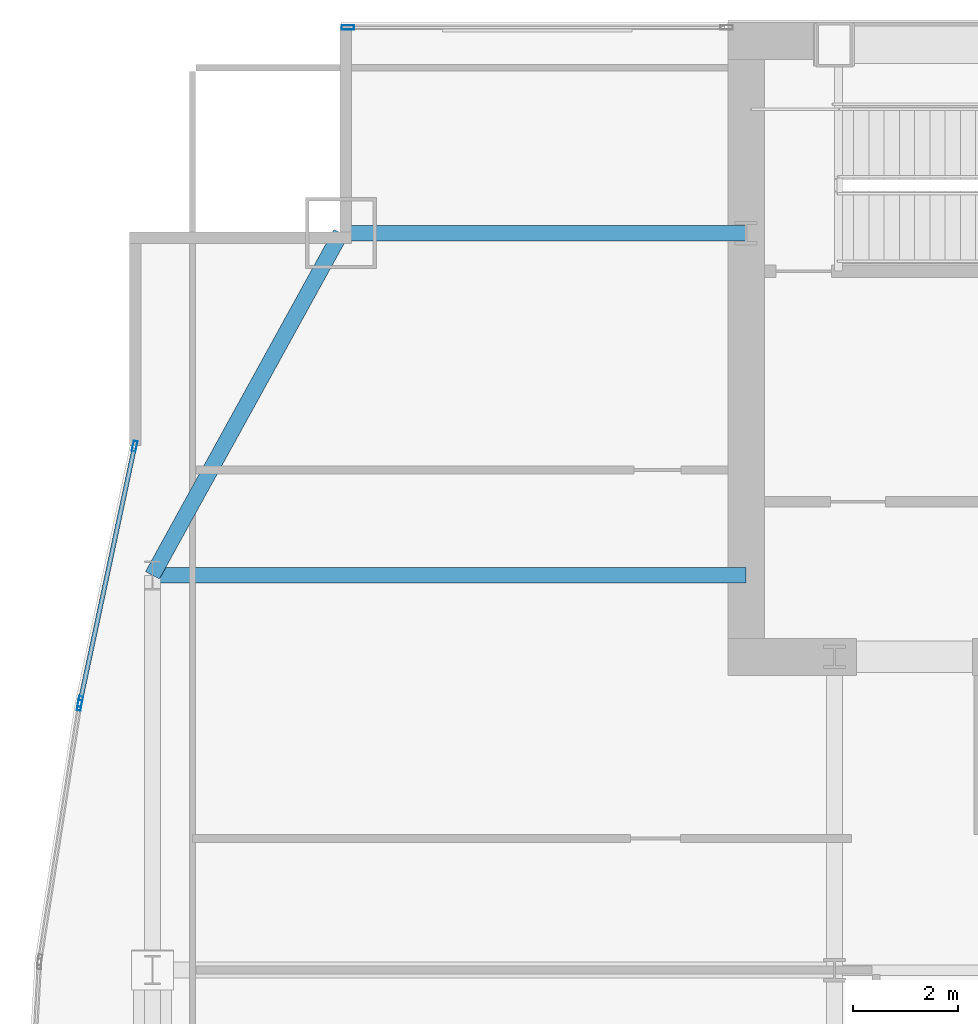
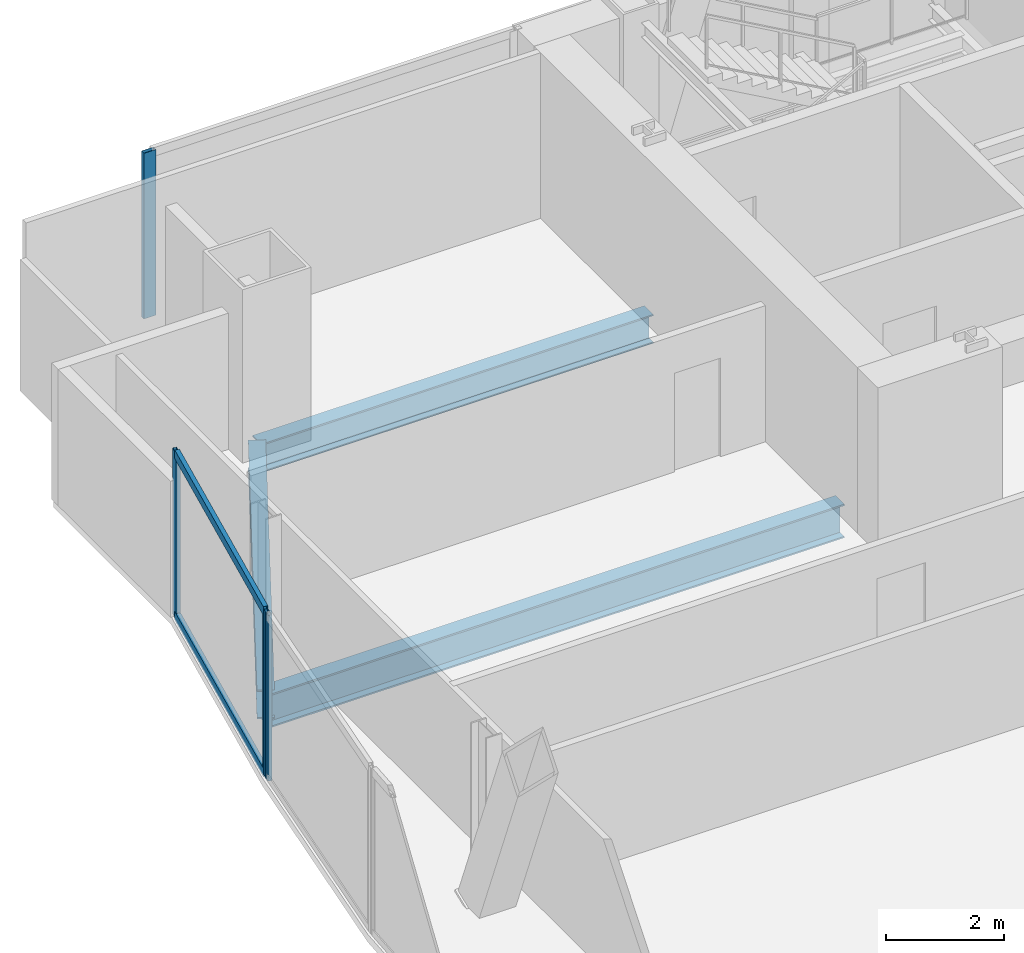
# One storey, part 17 of 30: 6 members, 3 beams, 3 elements without a shape of their own.
"""IFC4 building model written with IfcOpenShell, lengths in metres."""

import ifcopenshell
import ifcopenshell.guid

model = None  # the IFC model being written
_history = None  # IfcOwnerHistory: only IFC2X3 demands one
_inside = {}  # id of a spatial element -> (the spatial element, [elements in it])
_under = {}  # id of a project, library or spatial element -> (it, [spatial elements below it])
_declared = {}  # id of a project -> (the project, [libraries it declares])
_typed = {}  # id of a type object -> (the type object, [elements of that type])
_made_of = {}  # id of a material, layer set ... -> (it, [elements and type objects made of it])


def new_model(schema):
    """Start an empty IFC model of exactly this schema.

    Asked for "IFC4X3", IfcOpenShell would pick the latest addendum, in which some entities
    have other attributes; the version numbers below select the first issue.
    IFC2X3 requires an IfcOwnerHistory on every rooted entity: one is made here for all.
    """
    global model, _history
    if schema == "IFC4X3":
        model = ifcopenshell.file(schema_version=(4, 3, 0, 0))
    else:
        model = ifcopenshell.file(schema=schema)
    _inside.clear()
    _under.clear()
    _declared.clear()
    _typed.clear()
    _made_of.clear()
    _history = None
    if model.schema == "IFC2X3":
        org = make("IfcOrganization", Name="unknown")
        user = make(
            "IfcPersonAndOrganization",
            ThePerson=make("IfcPerson", FamilyName="unknown"),
            TheOrganization=org,
        )
        app = make(
            "IfcApplication",
            ApplicationDeveloper=org,
            Version="unknown",
            ApplicationFullName="unknown",
            ApplicationIdentifier="unknown",
        )
        _history = make(
            "IfcOwnerHistory",
            OwningUser=user,
            OwningApplication=app,
            ChangeAction="ADDED",
            CreationDate=0,
        )
    return model


def make(cls, **values):
    """One entity of the class cls with the attributes given. An attribute that is None is left unset."""
    return model.create_entity(
        cls, **{name: value for name, value in values.items() if value is not None}
    )


def rooted(cls, **values):
    """An entity with a GlobalId (a new one), such as an element, a storey or a relation."""
    return make(cls, GlobalId=ifcopenshell.guid.new(), OwnerHistory=_history, **values)


def si_unit(unit_type, name, prefix=None):
    """IfcSIUnit, for example si_unit("LENGTHUNIT", "METRE", prefix="MILLI")."""
    return make("IfcSIUnit", UnitType=unit_type, Prefix=prefix, Name=name)


def assignment(units):
    """IfcUnitAssignment: the units of a project."""
    return None if units is None else make("IfcUnitAssignment", Units=units)


def point(xyz):
    """IfcCartesianPoint."""
    return None if xyz is None else make("IfcCartesianPoint", Coordinates=xyz)


def direction(xyz):
    """IfcDirection."""
    return None if xyz is None else make("IfcDirection", DirectionRatios=xyz)


def frame(location, z_axis=None, x_axis=None):
    """IfcAxis2Placement3D, a coordinate frame: its origin and axes. An axis left out is left unset."""
    return make(
        "IfcAxis2Placement3D",
        Location=point(location),
        Axis=direction(z_axis),
        RefDirection=direction(x_axis),
    )


def frame_2d(location, x_axis=None):
    """IfcAxis2Placement2D, a coordinate frame in the plane: its origin and x axis."""
    return make(
        "IfcAxis2Placement2D", Location=point(location), RefDirection=direction(x_axis)
    )


def origin():
    """The frame at (0, 0, 0) with its axes left unset."""
    return frame((0.0, 0.0, 0.0))


def origin_2d():
    """The frame at (0, 0) in the plane with its x axis left unset."""
    return frame_2d((0.0, 0.0))


def place(relative_to, where):
    """IfcLocalPlacement: puts the frame where relative to a parent placement (None: the world)."""
    return make(
        "IfcLocalPlacement", PlacementRelTo=relative_to, RelativePlacement=where
    )


def context(
    kind, dimensions, precision=None, world=None, true_north=None, identifier=None
):
    """IfcGeometricRepresentationContext, for example the 3D "Model" context."""
    return make(
        "IfcGeometricRepresentationContext",
        ContextIdentifier=identifier,
        ContextType=kind,
        CoordinateSpaceDimension=dimensions,
        Precision=precision,
        WorldCoordinateSystem=world,
        TrueNorth=true_north,
    )


def subcontext(parent, identifier, kind, view, scale=None):
    """IfcGeometricRepresentationSubContext, for example "Body" below "Model"."""
    return make(
        "IfcGeometricRepresentationSubContext",
        ContextIdentifier=identifier,
        ContextType=kind,
        ParentContext=parent,
        TargetScale=scale,
        TargetView=view,
    )


def project(units=None, contexts=None):
    """IfcProject with its units and contexts."""
    return rooted(
        "IfcProject",
        Name="project",
        RepresentationContexts=contexts,
        UnitsInContext=assignment(units),
    )


def spatial(cls, under=None, at=None, **own):
    """A site, building, storey or space (cls), placed at a placement, below another one or the project."""
    s = rooted(cls, ObjectPlacement=at, **own)
    if under is not None:
        _under.setdefault(under.id(), (under, []))[1].append(s)
    return s


def profile(cls, at=None, kind="AREA", **sizes):
    """A parametric profile (cls). Its sizes go by their IFC names, for example OverallWidth=200.0."""
    return make(cls, ProfileType=kind, Position=at, **sizes)


def hollow_rectangle(**sizes):
    """IfcRectangleHollowProfileDef."""
    return profile("IfcRectangleHollowProfileDef", **sizes)


def i_section(**sizes):
    """IfcIShapeProfileDef."""
    return profile("IfcIShapeProfileDef", **sizes)


def extrude(swept, where, along, depth):
    """IfcExtrudedAreaSolid: the profile swept, set in the frame where, extruded along a direction by depth."""
    return make(
        "IfcExtrudedAreaSolid",
        SweptArea=swept,
        Position=where,
        ExtrudedDirection=direction(along),
        Depth=depth,
    )


def shape(context_of_items, identifier, shape_type, items):
    """IfcShapeRepresentation: the items that make up one representation, for example the "Body"."""
    return make(
        "IfcShapeRepresentation",
        ContextOfItems=context_of_items,
        RepresentationIdentifier=identifier,
        RepresentationType=shape_type,
        Items=items,
    )


def material(Name=None, Category=None):
    """IfcMaterial."""
    return make("IfcMaterial", Name=Name, Category=Category)


def material_profile(
    of_material, cross_section, Name=None, Category=None, Priority=None
):
    """IfcMaterialProfile: a cross section and its material."""
    return make(
        "IfcMaterialProfile",
        Name=Name,
        Material=of_material,
        Profile=cross_section,
        Priority=Priority,
        Category=Category,
    )


def profile_set(profiles, Name=None, composite=None):
    """IfcMaterialProfileSet."""
    return make(
        "IfcMaterialProfileSet",
        Name=Name,
        MaterialProfiles=profiles,
        CompositeProfile=composite,
    )


def made_of(thing, what):
    """Note that an element or type object is made of a material, layer set ...; save() writes the relation."""
    if what is not None:
        _made_of.setdefault(what.id(), (what, []))[1].append(thing)
    return thing


def type_object(cls, material=None, **own):
    """A type object (cls), such as IfcWallType, which elements share."""
    return made_of(rooted(cls, **own), material)


def element(
    cls,
    number,
    at=None,
    inside=None,
    cuts=None,
    type_object=None,
    material=None,
    context=None,
    identifier="Body",
    shape_type=None,
    held_by="IfcProductDefinitionShape",
    body=None,
    shapes=None,
    **own,
):
    """One element of the class cls, such as IfcWall. Its Tag is "e" and its number.

    at: its placement. inside: the storey or other place that contains it. cuts: it is an
    opening in that element (IfcRelVoidsElement). A single representation is given by context,
    identifier, shape_type and body (its items); several are given by shapes. held_by: the class
    of the entity that holds the representations. save() writes the other relations.
    """
    e = rooted(cls, Tag="e%d" % number, ObjectPlacement=at, **own)
    if body is not None:
        shapes = [shape(context, identifier, shape_type, body)]
    if shapes is not None:
        e.Representation = make(held_by, Representations=shapes)
    if inside is not None:
        _inside.setdefault(inside.id(), (inside, []))[1].append(e)
    if cuts is not None:
        rooted(
            "IfcRelVoidsElement", RelatingBuildingElement=cuts, RelatedOpeningElement=e
        )
    if type_object is not None:
        _typed.setdefault(type_object.id(), (type_object, []))[1].append(e)
    return made_of(e, material)


def aggregate(whole, parts):
    """IfcRelAggregates: a whole, such as a stair, and the parts it consists of."""
    return rooted("IfcRelAggregates", RelatingObject=whole, RelatedObjects=parts)


def save(model, path):
    """Write the relations noted so far, then the file.

    IfcRelAggregates (storeys below a building ...), IfcRelContainedInSpatialStructure (elements
    in a storey), IfcRelDefinesByType, IfcRelAssociatesMaterial and IfcRelDeclares: one each for
    every whole, place, type object, material and project.
    """
    for whole, parts in _under.values():
        aggregate(whole, parts)
    for where, things in _inside.values():
        rooted(
            "IfcRelContainedInSpatialStructure",
            RelatedElements=things,
            RelatingStructure=where,
        )
    for kind, things in _typed.values():
        rooted("IfcRelDefinesByType", RelatedObjects=things, RelatingType=kind)
    for what, things in _made_of.values():
        rooted("IfcRelAssociatesMaterial", RelatedObjects=things, RelatingMaterial=what)
    for by, libraries in _declared.values():
        rooted("IfcRelDeclares", RelatingContext=by, RelatedDefinitions=libraries)
    model.write(path)


model = new_model("IFC4")

# Units and contexts
model_context = context("Model", 3, precision=1e-05, world=origin(), true_north=direction((0.0, 1.0)))
body_context = subcontext(model_context, "Body", "Model", "MODEL_VIEW")
ifc_project = project(units=[si_unit("LENGTHUNIT", "METRE"), si_unit("AREAUNIT", "SQUARE_METRE"), si_unit("VOLUMEUNIT", "CUBIC_METRE"), si_unit("PLANEANGLEUNIT", "RADIAN"), si_unit("MASSUNIT", "GRAM", prefix="KILO")], contexts=[model_context])

# Site, building, storey
site_placement = place(None, origin())
site = spatial("IfcSite", under=ifc_project, at=site_placement, CompositionType="ELEMENT")
building_placement = place(site_placement, origin())
building = spatial("IfcBuilding", under=site, at=building_placement, Name="Khoronbel Lancet Exchange", CompositionType="ELEMENT")
storey_placement = place(building_placement, frame((0.0, 0.0, 157.800048828125)))
storey = spatial("IfcBuildingStorey", under=building, at=storey_placement, Name="L39", CompositionType="ELEMENT", Elevation=157.800048828125)

# Beams
ifc_material_1 = material(Name="Steel S355", Category="steel")
ifc_material_profile_1 = material_profile(ifc_material_1, i_section(OverallWidth=0.300048828125, OverallDepth=0.699951171875, WebThickness=0.01708984375, FlangeThickness=0.031982421875, at=origin_2d()), Name="HEB 700")
ifc_profile_set_1 = profile_set([ifc_material_profile_1], Name="Steel S355")
beam_type_1 = type_object("IfcBeamType", Name="BM-BG3", PredefinedType="BEAM", material=ifc_profile_set_1)
beam_1_placement = place(storey_placement, frame((5.27001953125, 43.199951171875, -0.510009765625), z_axis=(1.0, 0.0, 0.0), x_axis=(0.0, 1.0, 0.0)))
element("IfcBeam", 1, at=beam_1_placement, inside=storey, type_object=beam_type_1, Name="Level L39 west lens tie girder LG3W", PredefinedType="BEAM", context=body_context, shape_type="SweptSolid", body=[
    extrude(i_section(OverallWidth=0.300048828125, OverallDepth=0.699951171875, WebThickness=0.01708984375, FlangeThickness=0.031982421875, at=origin_2d()), origin(), (0.0, 0.0, 1.0), 11.280029296875),
])
ifc_material_profile_2 = material_profile(ifc_material_1, i_section(OverallWidth=0.300048828125, OverallDepth=0.60009765625, WebThickness=0.015380859375, FlangeThickness=0.030029296875, at=origin_2d()), Name="HEB 600")
ifc_profile_set_2 = profile_set([ifc_material_profile_2], Name="Steel S355")
beam_type_2 = type_object("IfcBeamType", Name="BM-BSP2", PredefinedType="SPANDREL", material=ifc_profile_set_2)
beam_2_placement = place(storey_placement, frame((8.85009765625, 49.699951171875, -0.4599609375), z_axis=(-0.482444051088, -0.875926787791, 0.0), x_axis=(0.875926787791, -0.482444051088, 0.0)))
element("IfcBeam", 2, at=beam_2_placement, inside=storey, type_object=beam_type_2, Name="Level L39 perimeter spandrel beam SP16", PredefinedType="SPANDREL", context=body_context, shape_type="SweptSolid", body=[
    extrude(i_section(OverallWidth=0.300048828125, OverallDepth=0.60009765625, WebThickness=0.015380859375, FlangeThickness=0.030029296875, at=origin_2d()), origin(), (0.0, 0.0, 1.0), 7.420654296875),
])
beam_3_placement = place(storey_placement, frame((8.85009765625, 49.699951171875, -0.4599609375), z_axis=(1.0, 0.0, 0.0), x_axis=(0.0, 1.0, 0.0)))
element("IfcBeam", 3, at=beam_3_placement, inside=storey, type_object=beam_type_2, Name="Level L39 north flank tie spandrel SP22", PredefinedType="SPANDREL", context=body_context, shape_type="SweptSolid", body=[
    extrude(i_section(OverallWidth=0.300048828125, OverallDepth=0.60009765625, WebThickness=0.015380859375, FlangeThickness=0.030029296875, at=origin_2d()), origin(), (0.0, 0.0, 1.0), 7.699951171875),
])

# Curtain wall, member
ifc_material_2 = material(Name="Low-E Solar Control Insulating Glass", Category="glass")
curtain_wall_type_1 = type_object("IfcCurtainWallType", Name="CW-3", PredefinedType="NOTDEFINED", material=ifc_material_2)
curtain_wall_1_placement = place(storey_placement, origin())
curtain_wall_1 = element("IfcCurtainWall", 4, at=curtain_wall_1_placement, inside=storey, type_object=curtain_wall_type_1, Name="Unitised curtain wall CW-L39-NWFLK", PredefinedType="NOTDEFINED")
ifc_material_3 = material(Name="Bronze-Anodised Aluminium 6063-T6", Category="aluminium")
ifc_material_profile_3 = material_profile(ifc_material_3, hollow_rectangle(XDim=0.0849609375, YDim=0.239990234375, WallThickness=0.006103515625, at=origin_2d()), Name="ALU MULLION 85x240")
ifc_profile_set_3 = profile_set([ifc_material_profile_3], Name="Bronze-Anodised Aluminium 6063-T6")
member_type_1 = type_object("IfcMemberType", Name="MEM-CWM1", PredefinedType="MULLION", material=ifc_profile_set_3)
member_1_placement = place(storey_placement, frame((8.982421875, 53.610107421875, 0.0), z_axis=(0.0, 0.0, 1.0), x_axis=(0.0, -1.0, 0.0)))
member_1 = element("IfcMember", 5, at=member_1_placement, type_object=member_type_1, Name="CW3 mullion 2", PredefinedType="MULLION", context=body_context, shape_type="SweptSolid", body=[
    extrude(hollow_rectangle(XDim=0.0849609375, YDim=0.239990234375, WallThickness=0.006103515625, at=origin_2d()), origin(), (0.0, 0.0, 1.0), 3.43994140625),
])
aggregate(curtain_wall_1, [member_1])

curtain_wall_type_2 = type_object("IfcCurtainWallType", Name="CW-4", PredefinedType="NOTDEFINED", material=ifc_material_2)
curtain_wall_2_placement = place(storey_placement, origin())
curtain_wall_2 = element("IfcCurtainWall", 6, at=curtain_wall_2_placement, inside=storey, type_object=curtain_wall_type_2, Name="Unitised curtain wall CW-L39-E08", PredefinedType="NOTDEFINED")
ifc_material_profile_4 = material_profile(ifc_material_3, hollow_rectangle(XDim=0.074951171875, YDim=0.199951171875, WallThickness=0.0048828125, at=origin_2d()), Name="ALU MULLION 75x200")
ifc_profile_set_4 = profile_set([ifc_material_profile_4], Name="Bronze-Anodised Aluminium 6063-T6")
member_type_2 = type_object("IfcMemberType", Name="MEM-CWM2", PredefinedType="MULLION", material=ifc_profile_set_4)
member_2_placement = place(storey_placement, frame((3.884521484375, 40.72998046875, 0.0), z_axis=(0.0, 0.0, 1.0), x_axis=(-0.98804136719, 0.154189029189, 0.0)))
member_2 = element("IfcMember", 7, at=member_2_placement, type_object=member_type_2, Name="CW4 mullion 2", PredefinedType="MULLION", context=body_context, shape_type="SweptSolid", body=[
    extrude(hollow_rectangle(XDim=0.074951171875, YDim=0.199951171875, WallThickness=0.0048828125, at=origin_2d()), origin(), (0.0, 0.0, 1.0), 3.43994140625),
])
aggregate(curtain_wall_2, [member_2])

# Curtain wall, members
curtain_wall_3_placement = place(storey_placement, origin())
curtain_wall_3 = element("IfcCurtainWall", 8, at=curtain_wall_3_placement, inside=storey, type_object=curtain_wall_type_2, Name="Unitised curtain wall CW-L39-E09", PredefinedType="NOTDEFINED")
member_3_placement = place(storey_placement, frame((3.898193359375, 40.8037109375, 0.0), z_axis=(0.0, 0.0, 1.0), x_axis=(-0.978023090529, 0.208496605228, 0.0)))
member_3 = element("IfcMember", 9, at=member_3_placement, type_object=member_type_2, Name="CW4 mullion 1", PredefinedType="MULLION", context=body_context, shape_type="SweptSolid", body=[
    extrude(hollow_rectangle(XDim=0.074951171875, YDim=0.199951171875, WallThickness=0.0048828125, at=origin_2d()), origin(), (0.0, 0.0, 1.0), 3.43994140625),
])
member_4_placement = place(storey_placement, frame((4.93212890625, 45.65380859375, 0.0), z_axis=(0.0, 0.0, 1.0), x_axis=(-0.978023090529, 0.208496605228, 0.0)))
member_4 = element("IfcMember", 10, at=member_4_placement, type_object=member_type_2, Name="CW4 mullion 2", PredefinedType="MULLION", context=body_context, shape_type="SweptSolid", body=[
    extrude(hollow_rectangle(XDim=0.074951171875, YDim=0.199951171875, WallThickness=0.0048828125, at=origin_2d()), origin(), (0.0, 0.0, 1.0), 3.43994140625),
])
ifc_material_profile_5 = material_profile(ifc_material_3, hollow_rectangle(XDim=0.0849609375, YDim=0.179931640625, WallThickness=0.0048828125, at=origin_2d()), Name="ALU TRANSOM 85x180")
ifc_profile_set_5 = profile_set([ifc_material_profile_5], Name="Bronze-Anodised Aluminium 6063-T6")
member_type_3 = type_object("IfcMemberType", Name="MEM-CWT1", PredefinedType="USERDEFINED", material=ifc_profile_set_5)
member_5_placement = place(storey_placement, frame((3.906005859375, 40.84033203125, 0.04248046875), z_axis=(0.208491214547, 0.978024239708, 0.0), x_axis=(-0.978024239708, 0.208491214547, 0.0)))
member_5 = element("IfcMember", 11, at=member_5_placement, type_object=member_type_3, Name="CW4 transom 1.1", ObjectType="TRANSOM", PredefinedType="USERDEFINED", context=body_context, shape_type="SweptSolid", body=[
    extrude(hollow_rectangle(XDim=0.0849609375, YDim=0.179931640625, WallThickness=0.0048828125, at=origin_2d()), origin(), (0.0, 0.0, 1.0), 4.88427734375),
])
member_6_placement = place(storey_placement, frame((3.906005859375, 40.84033203125, 3.3974609375), z_axis=(0.208491214547, 0.978024239708, 0.0), x_axis=(-0.978024239708, 0.208491214547, 0.0)))
member_6 = element("IfcMember", 12, at=member_6_placement, type_object=member_type_3, Name="CW4 transom 1.2", ObjectType="TRANSOM", PredefinedType="USERDEFINED", context=body_context, shape_type="SweptSolid", body=[
    extrude(hollow_rectangle(XDim=0.0849609375, YDim=0.179931640625, WallThickness=0.0048828125, at=origin_2d()), origin(), (0.0, 0.0, 1.0), 4.88427734375),
])
aggregate(curtain_wall_3, [member_3, member_4, member_5, member_6])

save(model, "model.ifc")
